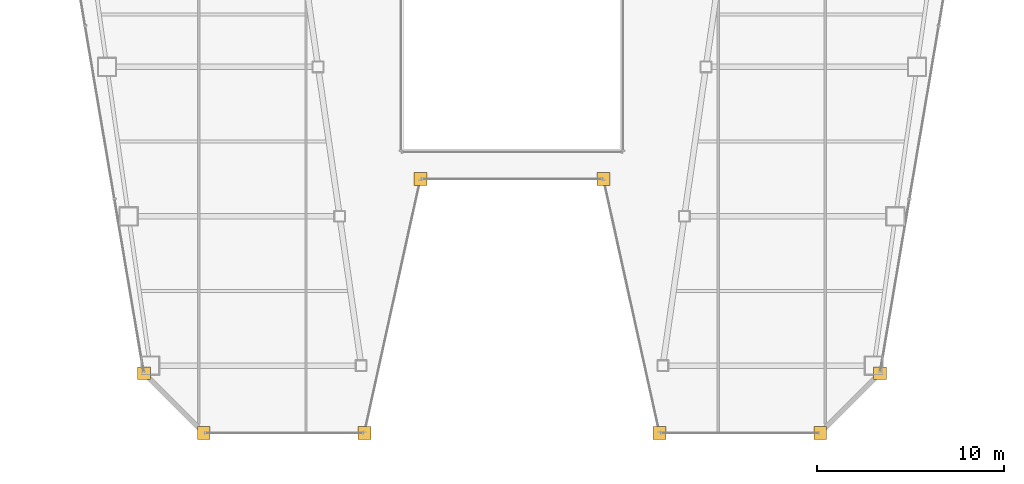
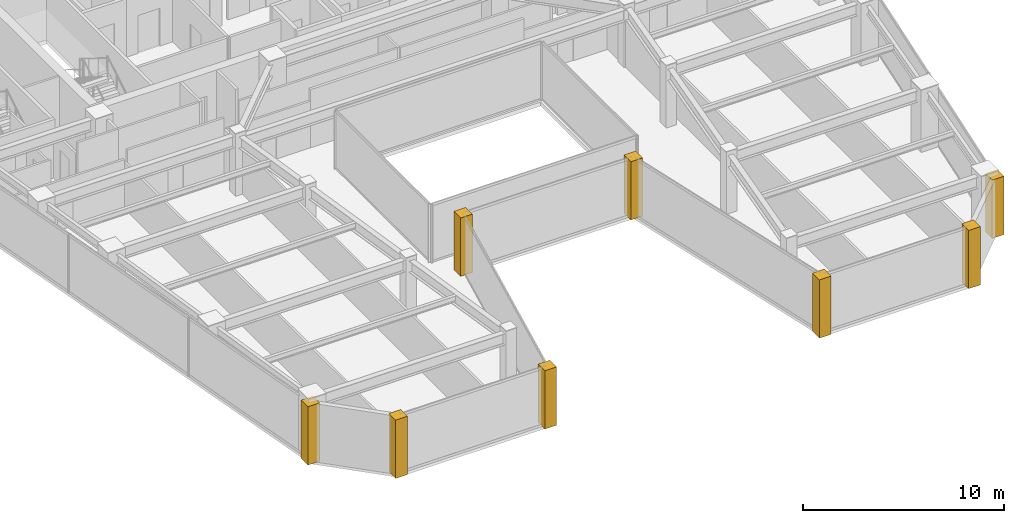
# One storey, part 33 of 35: 8 coverings.
"""IFC4 building model written with IfcOpenShell, lengths in metres."""

from ifc_helpers import new_model, si_unit, direction, frame, origin, place, context, subcontext, project, spatial, polyline, outline, extrude, material, layer, layer_set, type_object, element, save


model = new_model("IFC4")

# Units and contexts
model_context = context("Model", 3, precision=1e-05, world=origin(), true_north=direction((0.0, 1.0)))
body_context = subcontext(model_context, "Body", "Model", "MODEL_VIEW")
ifc_project = project(units=[si_unit("LENGTHUNIT", "METRE"), si_unit("AREAUNIT", "SQUARE_METRE"), si_unit("VOLUMEUNIT", "CUBIC_METRE"), si_unit("PLANEANGLEUNIT", "RADIAN"), si_unit("MASSUNIT", "GRAM", prefix="KILO")], contexts=[model_context])

# Site, building, storey
site_placement = place(None, origin())
site = spatial("IfcSite", under=ifc_project, at=site_placement, CompositionType="ELEMENT")
building_placement = place(site_placement, origin())
building = spatial("IfcBuilding", under=site, at=building_placement, Name="Saevonmaru Cultural Tower", CompositionType="ELEMENT")
storey_placement = place(building_placement, frame((0.0, 0.0, 179.0)))
storey = spatial("IfcBuildingStorey", under=building, at=storey_placement, Name="L40", CompositionType="ELEMENT", Elevation=179.0)

# Coverings
ifc_material = material(Name="Satin Bronze Anodised Aluminium", Category="aluminium")
ifc_layer = layer(ifc_material, 0.679931640625, Name="Satin Bronze Anodised Aluminium")
ifc_layer_set = layer_set([ifc_layer], Name="Satin Bronze Anodised Aluminium")
covering_type = type_object("IfcCoveringType", Name="CV-CORNER-CLAD", PredefinedType="CLADDING", material=ifc_layer_set)
covering_1_placement = place(storey_placement, origin())
element("IfcCovering", 1, at=covering_1_placement, inside=storey, type_object=covering_type, Name="L40 Tower Bronze Corner Cladding Pier 1", PredefinedType="CLADDING", context=body_context, shape_type="SweptSolid", body=[
    extrude(outline(polyline([(9.9580078125, 15.260009765625), (10.637939453125, 15.260009765625), (10.637939453125, 15.93994140625), (9.9580078125, 15.93994140625), (9.9580078125, 15.260009765625)])), origin(), (0.0, 0.0, 1.0), 3.550048828125),
])
covering_2_placement = place(storey_placement, origin())
element("IfcCovering", 2, at=covering_2_placement, inside=storey, type_object=covering_type, Name="L40 Tower Bronze Corner Cladding Pier 2", PredefinedType="CLADDING", context=body_context, shape_type="SweptSolid", body=[
    extrude(outline(polyline([(13.157958984375, 12.06005859375), (13.837890625, 12.06005859375), (13.837890625, 12.739990234375), (13.157958984375, 12.739990234375), (13.157958984375, 12.06005859375)])), origin(), (0.0, 0.0, 1.0), 3.550048828125),
])
covering_3_placement = place(storey_placement, origin())
element("IfcCovering", 3, at=covering_3_placement, inside=storey, type_object=covering_type, Name="L40 Tower Bronze Corner Cladding Pier 3", PredefinedType="CLADDING", context=body_context, shape_type="SweptSolid", body=[
    extrude(outline(polyline([(21.758056640625, 12.06005859375), (22.43798828125, 12.06005859375), (22.43798828125, 12.739990234375), (21.758056640625, 12.739990234375), (21.758056640625, 12.06005859375)])), origin(), (0.0, 0.0, 1.0), 3.550048828125),
])
covering_4_placement = place(storey_placement, origin())
element("IfcCovering", 4, at=covering_4_placement, inside=storey, type_object=covering_type, Name="L40 Tower Bronze Corner Cladding Pier 4", PredefinedType="CLADDING", context=body_context, shape_type="SweptSolid", body=[
    extrude(outline(polyline([(24.758056640625, 25.659912109375), (25.43798828125, 25.659912109375), (25.43798828125, 26.340087890625), (24.758056640625, 26.340087890625), (24.758056640625, 25.659912109375)])), origin(), (0.0, 0.0, 1.0), 3.550048828125),
])
covering_5_placement = place(storey_placement, origin())
element("IfcCovering", 5, at=covering_5_placement, inside=storey, type_object=covering_type, Name="L40 Tower Bronze Corner Cladding Pier 5", PredefinedType="CLADDING", context=body_context, shape_type="SweptSolid", body=[
    extrude(outline(polyline([(34.56201171875, 25.659912109375), (35.241943359375, 25.659912109375), (35.241943359375, 26.340087890625), (34.56201171875, 26.340087890625), (34.56201171875, 25.659912109375)])), origin(), (0.0, 0.0, 1.0), 3.550048828125),
])
covering_6_placement = place(storey_placement, origin())
element("IfcCovering", 6, at=covering_6_placement, inside=storey, type_object=covering_type, Name="L40 Tower Bronze Corner Cladding Pier 6", PredefinedType="CLADDING", context=body_context, shape_type="SweptSolid", body=[
    extrude(outline(polyline([(37.56201171875, 12.06005859375), (38.241943359375, 12.06005859375), (38.241943359375, 12.739990234375), (37.56201171875, 12.739990234375), (37.56201171875, 12.06005859375)])), origin(), (0.0, 0.0, 1.0), 3.550048828125),
])
covering_7_placement = place(storey_placement, origin())
element("IfcCovering", 7, at=covering_7_placement, inside=storey, type_object=covering_type, Name="L40 Tower Bronze Corner Cladding Pier 7", PredefinedType="CLADDING", context=body_context, shape_type="SweptSolid", body=[
    extrude(outline(polyline([(46.162109375, 12.06005859375), (46.842041015625, 12.06005859375), (46.842041015625, 12.739990234375), (46.162109375, 12.739990234375), (46.162109375, 12.06005859375)])), origin(), (0.0, 0.0, 1.0), 3.550048828125),
])
covering_8_placement = place(storey_placement, origin())
element("IfcCovering", 8, at=covering_8_placement, inside=storey, type_object=covering_type, Name="L40 Tower Bronze Corner Cladding Pier 8", PredefinedType="CLADDING", context=body_context, shape_type="SweptSolid", body=[
    extrude(outline(polyline([(49.362060546875, 15.260009765625), (50.0419921875, 15.260009765625), (50.0419921875, 15.93994140625), (49.362060546875, 15.93994140625), (49.362060546875, 15.260009765625)])), origin(), (0.0, 0.0, 1.0), 3.550048828125),
])

save(model, "model.ifc")
